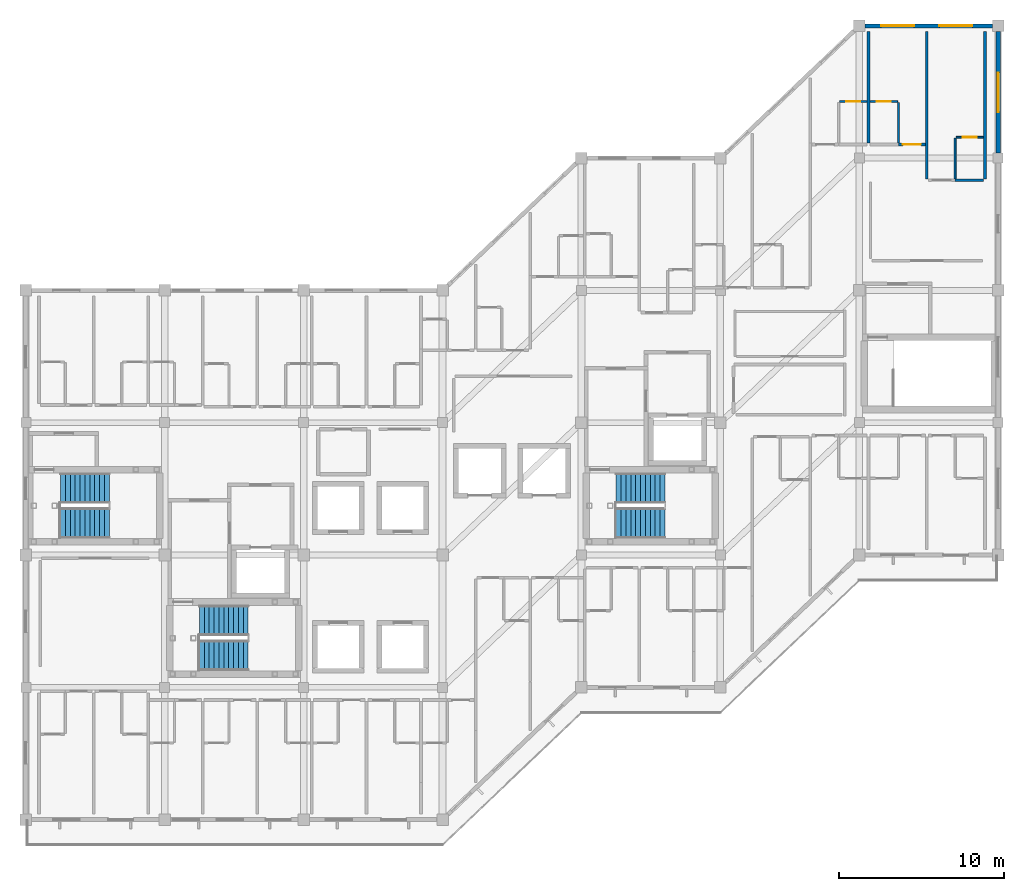
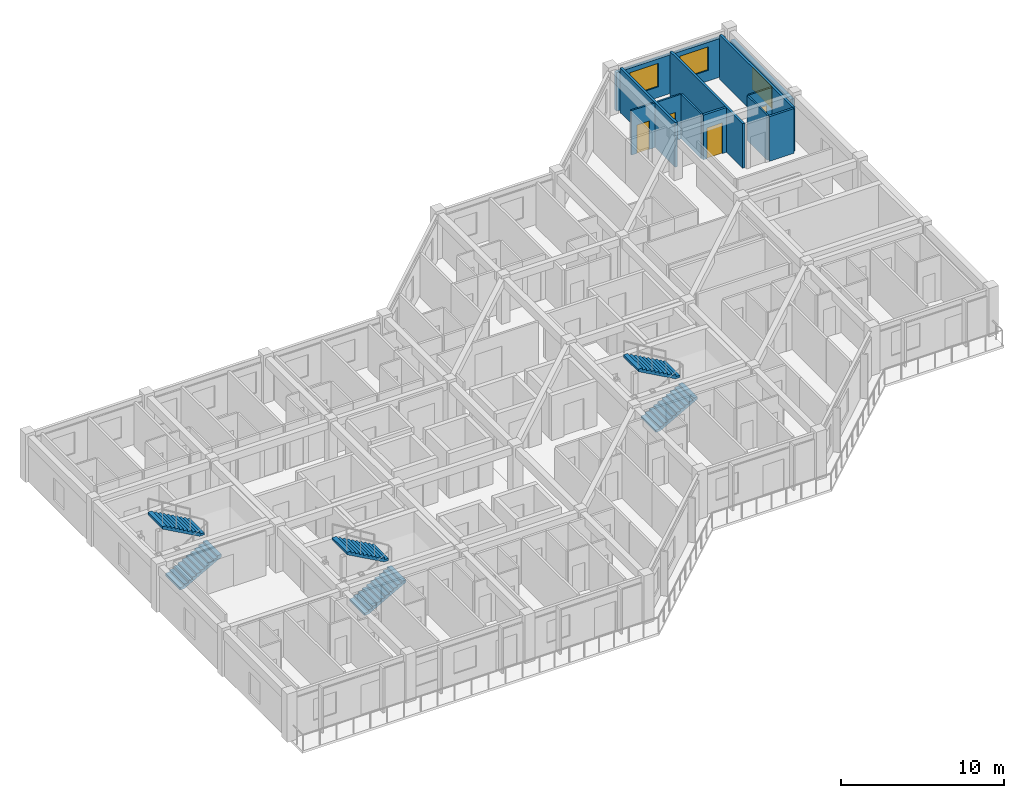
# One storey, part 13 of 15: 12 walls, 6 stair flights, 4 doors, 3 windows, 7 openings, 3 elements without a shape of their own.
"""IFC4 building model written with IfcOpenShell, lengths in metres."""

from ifc_helpers import new_model, si_unit, direction, frame, frame_2d, origin, place, context, subcontext, project, spatial, polyline, rectangle, outline, extrude, material, layer, layer_set, type_object, element, fill, aggregate, save


model = new_model("IFC4")

# Units and contexts
model_context = context("Model", 3, precision=1e-05, world=origin(), true_north=direction((0.0, 1.0)))
body_context = subcontext(model_context, "Body", "Model", "MODEL_VIEW")
ifc_project = project(units=[si_unit("LENGTHUNIT", "METRE"), si_unit("AREAUNIT", "SQUARE_METRE"), si_unit("VOLUMEUNIT", "CUBIC_METRE"), si_unit("PLANEANGLEUNIT", "RADIAN"), si_unit("MASSUNIT", "GRAM", prefix="KILO")], contexts=[model_context])

# Site, building, storey
site_placement = place(None, origin())
site = spatial("IfcSite", under=ifc_project, at=site_placement, CompositionType="ELEMENT")
building_placement = place(site_placement, origin())
building = spatial("IfcBuilding", under=site, at=building_placement, Name="Naruveol Harbour Congress Hotel", CompositionType="ELEMENT")
storey_placement = place(building_placement, frame((0.0, 0.0, 32.39990234375)))
storey = spatial("IfcBuildingStorey", under=building, at=storey_placement, Name="L07", CompositionType="ELEMENT", Elevation=32.39990234375)

# Wall, opening, window
ifc_material_1 = material(Name="Precast concrete C40/50", Category="concrete")
ifc_layer_1 = layer(ifc_material_1, 0.280029296875)
ifc_layer_set_1 = layer_set([ifc_layer_1], Name="Precast concrete C40/50")
wall_type_1 = type_object("IfcWallType", Name="ARCHITECTURAL PRECAST FACADE WALL 280", PredefinedType="SOLIDWALL", material=ifc_layer_set_1)
wall_1_placement = place(storey_placement, frame((176.39990234375, 47.64990234375, 0.0), z_axis=(0.0, 0.0, 1.0), x_axis=(0.0, -1.0, 0.0)))
wall_1 = element("IfcWall", 1, at=wall_1_placement, inside=storey, type_object=wall_type_1, Name="Hotel east gable wall L07 EW-280", PredefinedType="SOLIDWALL", context=body_context, shape_type="SweptSolid", body=[
    extrude(rectangle(XDim=7.349853515625, YDim=0.280029296875, at=frame_2d((3.6748046875, 0.0))), origin(), (0.0, 0.0, 1.0), 2.7001953125),
])
opening_1_placement = place(wall_1_placement, frame((2.47509765625, 0.0, 0.5)))
opening_1 = element("IfcOpeningElement", 2, at=opening_1_placement, cuts=wall_1, Name="Opening W-07", PredefinedType="OPENING", context=body_context, shape_type="SweptSolid", body=[
    extrude(rectangle(XDim=2.39990234375, YDim=1.64990234375, at=frame_2d((1.199951171875, 0.824951171875))), frame((0.0, 0.14990234375, 0.0), z_axis=(0.0, -1.0, 0.0), x_axis=(1.0, 0.0, 0.0)), (0.0, 0.0, 1.0), 0.300048828125),
])
ifc_material_2 = material(Name="Low-E Triple Glazing in Thermal Aluminium", Category="aluminium")
window_type_1 = type_object("IfcWindowType", Name="CORNER SUITE WINDOW 2400X1650", PartitioningType="DOUBLE_PANEL_VERTICAL", PredefinedType="WINDOW", material=ifc_material_2)
window_1_placement = place(opening_1_placement, origin())
window_1 = element("IfcWindow", 3, at=window_1_placement, inside=storey, type_object=window_type_1, Name="Window W-07 #407", OverallHeight=1.64990234375, OverallWidth=2.39990234375, PartitioningType="DOUBLE_PANEL_VERTICAL", PredefinedType="WINDOW", context=body_context, shape_type="SweptSolid", body=[
    extrude(rectangle(XDim=2.39990234375, YDim=1.64990234375, at=frame_2d((1.199951171875, 0.824951171875))), frame((0.0, 0.030029296875, 0.0), z_axis=(0.0, -1.0, 0.0), x_axis=(1.0, 0.0, 0.0)), (0.0, 0.0, 1.0), 0.06005859375),
])
fill(opening_1, window_1)

# Wall, opening, door
ifc_material_3 = material(Name="Moisture-Resistant Gypsum Partition", Category="gypsum")
ifc_layer_2 = layer(ifc_material_3, 0.114990234375)
ifc_layer_set_2 = layer_set([ifc_layer_2], Name="Moisture-Resistant Gypsum Partition")
wall_type_2 = type_object("IfcWallType", Name="BATHROOM MOISTURE PARTITION WALL 115", PredefinedType="PARTITIONING", material=ifc_layer_set_2)
wall_2_placement = place(storey_placement, frame((166.81005859375, 43.419921875, 0.0), z_axis=(0.0, 0.0, 1.0), x_axis=(1.0, 0.0, 0.0)))
wall_2 = element("IfcWall", 4, at=wall_2_placement, inside=storey, type_object=wall_type_2, Name="Bathroom north wall 0818 PW-115", PredefinedType="PARTITIONING", context=body_context, shape_type="SweptSolid", body=[
    extrude(rectangle(XDim=1.64990234375, YDim=0.114990234375, at=frame_2d((0.824951171875, 0.0))), origin(), (0.0, 0.0, 1.0), 3.335205078125),
])
opening_2_placement = place(wall_2_placement, frame((0.39501953125, 0.0, 0.0)))
opening_2 = element("IfcOpeningElement", 5, at=opening_2_placement, cuts=wall_2, Name="Opening BD-RM0818", PredefinedType="OPENING", context=body_context, shape_type="SweptSolid", body=[
    extrude(rectangle(XDim=0.860107421875, YDim=2.1201171875, at=frame_2d((0.43017578125, 1.06005859375))), frame((0.0, 0.0673828125, 0.0), z_axis=(0.0, -1.0, 0.0), x_axis=(1.0, 0.0, 0.0)), (0.0, 0.0, 1.0), 0.135009765625),
])
ifc_material_4 = material(Name="Timber & Steel Acoustic Leaf", Category="steel")
door_type_1 = type_object("IfcDoorType", Name="GUEST BATHROOM DOOR 860X2120", OperationType="NOTDEFINED", PredefinedType="DOOR", material=ifc_material_4)
door_1_placement = place(opening_2_placement, origin())
door_1 = element("IfcDoor", 6, at=door_1_placement, inside=storey, type_object=door_type_1, Name="Bathroom Door 0818", OperationType="SINGLE_SWING_RIGHT", OverallHeight=2.1201171875, OverallWidth=0.860107421875, PredefinedType="DOOR", context=body_context, shape_type="SweptSolid", body=[
    extrude(rectangle(XDim=0.860107421875, YDim=2.1201171875, at=frame_2d((0.43017578125, 1.06005859375))), frame((0.0, 0.02490234375, 0.0), z_axis=(0.0, -1.0, 0.0), x_axis=(1.0, 0.0, 0.0)), (0.0, 0.0, 1.0), 0.050048828125),
])
fill(opening_2, door_1)

# Wall
wall_3_placement = place(storey_placement, frame((170.3701171875, 40.909912109375, 0.0), z_axis=(0.0, 0.0, 1.0), x_axis=(0.0, 1.0, 0.0)))
element("IfcWall", 7, at=wall_3_placement, inside=storey, type_object=wall_type_2, Name="Bathroom east wall 0819 PW-115", PredefinedType="PARTITIONING", context=body_context, shape_type="SweptSolid", body=[
    extrude(rectangle(XDim=2.4501953125, YDim=0.114990234375, at=frame_2d((1.22509765625, 0.0))), origin(), (0.0, 0.0, 1.0), 3.335205078125),
])

# Wall, opening, door
wall_4_placement = place(storey_placement, frame((168.659912109375, 43.419921875, 0.0), z_axis=(0.0, 0.0, 1.0), x_axis=(1.0, 0.0, 0.0)))
wall_4 = element("IfcWall", 8, at=wall_4_placement, inside=storey, type_object=wall_type_2, Name="Bathroom north wall 0819 PW-115", PredefinedType="PARTITIONING", context=body_context, shape_type="SweptSolid", body=[
    extrude(rectangle(XDim=1.650146484375, YDim=0.114990234375, at=frame_2d((0.8251953125, 0.0))), origin(), (0.0, 0.0, 1.0), 3.335205078125),
])
opening_3_placement = place(wall_4_placement, frame((0.39501953125, 0.0, 0.0)))
opening_3 = element("IfcOpeningElement", 9, at=opening_3_placement, cuts=wall_4, Name="Opening BD-RM0819", PredefinedType="OPENING", context=body_context, shape_type="SweptSolid", body=[
    extrude(rectangle(XDim=0.860107421875, YDim=2.1201171875, at=frame_2d((0.43017578125, 1.06005859375))), frame((0.0, 0.0673828125, 0.0), z_axis=(0.0, -1.0, 0.0), x_axis=(1.0, 0.0, 0.0)), (0.0, 0.0, 1.0), 0.135009765625),
])
door_2_placement = place(opening_3_placement, origin())
door_2 = element("IfcDoor", 10, at=door_2_placement, inside=storey, type_object=door_type_1, Name="Bathroom Door 0819", OperationType="SINGLE_SWING_RIGHT", OverallHeight=2.1201171875, OverallWidth=0.860107421875, PredefinedType="DOOR", context=body_context, shape_type="SweptSolid", body=[
    extrude(rectangle(XDim=0.860107421875, YDim=2.1201171875, at=frame_2d((0.43017578125, 1.06005859375))), frame((0.0, 0.02490234375, 0.0), z_axis=(0.0, -1.0, 0.0), x_axis=(1.0, 0.0, 0.0)), (0.0, 0.0, 1.0), 0.050048828125),
])
fill(opening_3, door_2)

# Wall
wall_5_placement = place(storey_placement, frame((173.7900390625, 38.75, 0.0), z_axis=(0.0, 0.0, 1.0), x_axis=(0.0, 1.0, 0.0)))
element("IfcWall", 11, at=wall_5_placement, inside=storey, type_object=wall_type_2, Name="Bathroom west wall 0820 PW-115", PredefinedType="PARTITIONING", context=body_context, shape_type="SweptSolid", body=[
    extrude(rectangle(XDim=2.449951171875, YDim=0.114990234375, at=frame_2d((1.22509765625, 0.0))), origin(), (0.0, 0.0, 1.0), 3.335205078125),
])

# Wall, opening, door
wall_6_placement = place(storey_placement, frame((173.85009765625, 41.260009765625, 0.0), z_axis=(0.0, 0.0, 1.0), x_axis=(1.0, 0.0, 0.0)))
wall_6 = element("IfcWall", 12, at=wall_6_placement, inside=storey, type_object=wall_type_2, Name="Bathroom north wall 0820 PW-115", PredefinedType="PARTITIONING", context=body_context, shape_type="SweptSolid", body=[
    extrude(rectangle(XDim=1.64990234375, YDim=0.114990234375, at=frame_2d((0.824951171875, 0.0))), origin(), (0.0, 0.0, 1.0), 3.335205078125),
])
opening_4_placement = place(wall_6_placement, frame((0.39501953125, 0.0, 0.0)))
opening_4 = element("IfcOpeningElement", 13, at=opening_4_placement, cuts=wall_6, Name="Opening BD-RM0820", PredefinedType="OPENING", context=body_context, shape_type="SweptSolid", body=[
    extrude(rectangle(XDim=0.860107421875, YDim=2.1201171875, at=frame_2d((0.43017578125, 1.06005859375))), frame((0.0, 0.0673828125, 0.0), z_axis=(0.0, -1.0, 0.0), x_axis=(1.0, 0.0, 0.0)), (0.0, 0.0, 1.0), 0.135009765625),
])
door_3_placement = place(opening_4_placement, origin())
door_3 = element("IfcDoor", 14, at=door_3_placement, inside=storey, type_object=door_type_1, Name="Bathroom Door 0820", OperationType="SINGLE_SWING_RIGHT", OverallHeight=2.1201171875, OverallWidth=0.860107421875, PredefinedType="DOOR", context=body_context, shape_type="SweptSolid", body=[
    extrude(rectangle(XDim=0.860107421875, YDim=2.1201171875, at=frame_2d((0.43017578125, 1.06005859375))), frame((0.0, 0.02490234375, 0.0), z_axis=(0.0, -1.0, 0.0), x_axis=(1.0, 0.0, 0.0)), (0.0, 0.0, 1.0), 0.050048828125),
])
fill(opening_4, door_3)

ifc_material_5 = material(Name="Autoclaved Aerated Concrete Block", Category="concrete")
ifc_layer_3 = layer(ifc_material_5, 0.159912109375)
ifc_layer_set_3 = layer_set([ifc_layer_3], Name="Autoclaved Aerated Concrete Block")
wall_type_3 = type_object("IfcWallType", Name="HOTEL PARTY AND CORRIDOR WALL 160 EI60", PredefinedType="PARTITIONING", material=ifc_layer_set_3)
wall_7_placement = place(storey_placement, frame((170.3701171875, 40.820068359375, 0.0), z_axis=(0.0, 0.0, 1.0), x_axis=(1.0, 0.0, 0.0)))
wall_7 = element("IfcWall", 15, at=wall_7_placement, inside=storey, type_object=wall_type_3, Name="Corridor entry wall 0819 PW-160", PredefinedType="PARTITIONING", context=body_context, shape_type="SweptSolid", body=[
    extrude(rectangle(XDim=1.619873046875, YDim=0.159912109375, at=frame_2d((0.81005859375, 0.0))), origin(), (0.0, 0.0, 1.0), 3.335205078125),
])
opening_5_placement = place(wall_7_placement, frame((0.27001953125, 0.0, 0.0)))
opening_5 = element("IfcOpeningElement", 16, at=opening_5_placement, cuts=wall_7, Name="Opening FD-RM0819", PredefinedType="OPENING", context=body_context, shape_type="SweptSolid", body=[
    extrude(rectangle(XDim=1.080078125, YDim=2.300048828125, at=frame_2d((0.5400390625, 1.14990234375))), frame((0.0, 0.08984375, 0.0), z_axis=(0.0, -1.0, 0.0), x_axis=(1.0, 0.0, 0.0)), (0.0, 0.0, 1.0), 0.179931640625),
])
ifc_material_6 = material(Name="Timber & Steel Acoustic Leaf", Category="steel")
door_type_2 = type_object("IfcDoorType", Name="SUITE ENTRANCE FIRE DOOR 1080X2300", OperationType="NOTDEFINED", PredefinedType="DOOR", material=ifc_material_6)
door_4_placement = place(opening_5_placement, origin())
door_4 = element("IfcDoor", 17, at=door_4_placement, inside=storey, type_object=door_type_2, Name="Hotel Room Door 0819", OperationType="SINGLE_SWING_LEFT", OverallHeight=2.300048828125, OverallWidth=1.080078125, PredefinedType="DOOR", context=body_context, shape_type="SweptSolid", body=[
    extrude(rectangle(XDim=1.080078125, YDim=2.300048828125, at=frame_2d((0.5400390625, 1.14990234375))), frame((0.0, 0.02490234375, 0.0), z_axis=(0.0, -1.0, 0.0), x_axis=(1.0, 0.0, 0.0)), (0.0, 0.0, 1.0), 0.050048828125),
])
fill(opening_5, door_4)

# Walls
wall_8_placement = place(storey_placement, frame((168.56005859375, 40.909912109375, 0.0), z_axis=(0.0, 0.0, 1.0), x_axis=(0.0, 1.0, 0.0)))
element("IfcWall", 18, at=wall_8_placement, inside=storey, type_object=wall_type_3, Name="Hotel party wall 0819 PW-160", PredefinedType="PARTITIONING", context=body_context, shape_type="SweptSolid", body=[
    extrude(rectangle(XDim=6.75, YDim=0.159912109375, at=frame_2d((3.375, 0.0))), origin(), (0.0, 0.0, 1.0), 3.335205078125),
])
wall_9_placement = place(storey_placement, frame((173.800048828125, 38.659912109375, 0.0), z_axis=(0.0, 0.0, 1.0), x_axis=(1.0, 0.0, 0.0)))
element("IfcWall", 19, at=wall_9_placement, inside=storey, type_object=wall_type_3, Name="Corridor wall 0820B PW-160", PredefinedType="PARTITIONING", context=body_context, shape_type="SweptSolid", body=[
    extrude(rectangle(XDim=1.7099609375, YDim=0.159912109375, at=frame_2d((0.85498046875, 0.0))), origin(), (0.0, 0.0, 1.0), 3.335205078125),
])
for number, where, z_axis, x_axis, name in (
    (20, (172.080078125, 38.75, 0.0), (0.0, 0.0, 1.0), (0.0, 1.0, 0.0), "Hotel party wall 0820 PW-160"),
    (21, (175.60009765625, 38.75, 0.0), (0.0, 0.0, 1.0), (0.0, 1.0, 0.0), "Hotel end party wall 0820 PW-160"),
):
    element("IfcWall", number, at=place(storey_placement, frame(where, z_axis=z_axis, x_axis=x_axis)), inside=storey, type_object=wall_type_3, Name=name, PredefinedType="PARTITIONING", context=body_context, shape_type="SweptSolid", body=[
        extrude(rectangle(XDim=8.909912109375, YDim=0.159912109375, at=frame_2d((4.455078125, 0.0))), origin(), (0.0, 0.0, 1.0), 3.335205078125),
    ])

# Wall, openings, windows
ifc_material_7 = material(Name="Concrete C40/50", Category="concrete")
ifc_layer_4 = layer(ifc_material_7, 0.239990234375)
ifc_layer_set_4 = layer_set([ifc_layer_4], Name="Concrete C40/50")
wall_type_4 = type_object("IfcWallType", Name="INSULATED HOTEL SPANDREL WALL 240", PredefinedType="SOLIDWALL", material=ifc_layer_set_4)
wall_10_placement = place(storey_placement, frame((168.35009765625, 48.0, 0.0), z_axis=(0.0, 0.0, 1.0), x_axis=(1.0, 0.0, 0.0)))
wall_10 = element("IfcWall", 22, at=wall_10_placement, inside=storey, type_object=wall_type_4, Name="Hotel north bay wall L07 EW-240", PredefinedType="SOLIDWALL", context=body_context, shape_type="SweptSolid", body=[
    extrude(rectangle(XDim=7.699951171875, YDim=0.239990234375, at=frame_2d((3.85009765625, 0.0))), origin(), (0.0, 0.0, 1.0), 2.89013671875),
])
opening_6_placement = place(wall_10_placement, frame((0.969970703125, 0.0, 0.800048828125)))
opening_6 = element("IfcOpeningElement", 23, at=opening_6_placement, cuts=wall_10, Name="Opening W-05", PredefinedType="OPENING", context=body_context, shape_type="SweptSolid", body=[
    extrude(rectangle(XDim=2.0, YDim=1.75, at=frame_2d((1.0, 0.875))), frame((0.0, 0.1298828125, 0.0), z_axis=(0.0, -1.0, 0.0), x_axis=(1.0, 0.0, 0.0)), (0.0, 0.0, 1.0), 0.260009765625),
])
opening_7_placement = place(wall_10_placement, frame((4.489990234375, 0.0, 0.800048828125)))
opening_7 = element("IfcOpeningElement", 24, at=opening_7_placement, cuts=wall_10, Name="Opening W-05", PredefinedType="OPENING", context=body_context, shape_type="SweptSolid", body=[
    extrude(rectangle(XDim=2.0, YDim=1.75, at=frame_2d((1.0, 0.875))), frame((0.0, 0.1298828125, 0.0), z_axis=(0.0, -1.0, 0.0), x_axis=(1.0, 0.0, 0.0)), (0.0, 0.0, 1.0), 0.260009765625),
])
ifc_material_8 = material(Name="Low-E Triple Glazing in Thermal Aluminium", Category="aluminium")
window_type_2 = type_object("IfcWindowType", Name="GARDEN SUITE WINDOW 2000X1750", PartitioningType="DOUBLE_PANEL_VERTICAL", PredefinedType="WINDOW", material=ifc_material_8)
window_2_placement = place(opening_6_placement, origin())
window_2 = element("IfcWindow", 25, at=window_2_placement, inside=storey, type_object=window_type_2, Name="Window W-05 #405", OverallHeight=1.75, OverallWidth=2.0, PartitioningType="DOUBLE_PANEL_VERTICAL", PredefinedType="WINDOW", context=body_context, shape_type="SweptSolid", body=[
    extrude(rectangle(XDim=2.0, YDim=1.75, at=frame_2d((1.0, 0.875))), frame((0.0, 0.030029296875, 0.0), z_axis=(0.0, -1.0, 0.0), x_axis=(1.0, 0.0, 0.0)), (0.0, 0.0, 1.0), 0.06005859375),
])
fill(opening_6, window_2)
window_3_placement = place(opening_7_placement, origin())
window_3 = element("IfcWindow", 26, at=window_3_placement, inside=storey, type_object=window_type_2, Name="Window W-05 #406", OverallHeight=1.75, OverallWidth=2.0, PartitioningType="DOUBLE_PANEL_VERTICAL", PredefinedType="WINDOW", context=body_context, shape_type="SweptSolid", body=[
    extrude(rectangle(XDim=2.0, YDim=1.75, at=frame_2d((1.0, 0.875))), frame((0.0, 0.030029296875, 0.0), z_axis=(0.0, -1.0, 0.0), x_axis=(1.0, 0.0, 0.0)), (0.0, 0.0, 1.0), 0.06005859375),
])
fill(opening_7, window_3)

# Stair, stair flights
ifc_material_9 = material(Name="Concrete C40/50", Category="concrete")
stair_type = type_object("IfcStairType", Name="RC DOG LEG ESCAPE STAIR 1800W H3600", PredefinedType="HALF_TURN_STAIR", material=ifc_material_9)
stair_1_placement = place(storey_placement, origin())
stair_1 = element("IfcStair", 27, at=stair_1_placement, inside=storey, type_object=stair_type, Name="Special Escape Stair ST1 L07 to L08", PredefinedType="HALF_TURN_STAIR")
ifc_material_10 = material(Name="Concrete C40/50", Category="concrete")
stair_flight_type = type_object("IfcStairFlightType", Name="RC STRAIGHT STAIR FLIGHT 1800W R11", PredefinedType="STRAIGHT", material=ifc_material_10)
stair_flight_1_placement = place(storey_placement, frame((128.10009765625, 9.919921875, 0.0), z_axis=(0.0, 0.0, 1.0), x_axis=(1.0, 0.0, 0.0)))
stair_flight_1 = element("IfcStairFlight", 28, at=stair_flight_1_placement, type_object=stair_flight_type, Name="ST1 L07 lower flight", NumberOfRisers=11, NumberOfTreads=10, PredefinedType="STRAIGHT", RiserHeight=0.163636, TreadLength=0.295, context=body_context, shape_type="SweptSolid", body=[
    extrude(outline(polyline([(0.0, 0.0), (0.0, 0.16357421875), (0.294921875, 0.16357421875), (0.294921875, 0.327392578125), (0.590087890625, 0.327392578125), (0.590087890625, 0.490966796875), (0.885009765625, 0.490966796875), (0.885009765625, 0.654541015625), (1.179931640625, 0.654541015625), (1.179931640625, 0.818115234375), (1.47509765625, 0.818115234375), (1.47509765625, 0.98193359375), (1.77001953125, 0.98193359375), (1.77001953125, 1.1455078125), (2.06494140625, 1.1455078125), (2.06494140625, 1.30908203125), (2.360107421875, 1.30908203125), (2.360107421875, 1.47265625), (2.655029296875, 1.47265625), (2.655029296875, 1.636474609375), (2.949951171875, 1.636474609375), (2.949951171875, 1.800048828125), (2.949951171875, 1.45361328125), (0.32958984375, 0.0), (0.0, 0.0)])), frame((0.0, 0.89990234375, 0.0), z_axis=(0.0, -1.0, 0.0), x_axis=(1.0, 0.0, 0.0)), (0.0, 0.0, 1.0), 1.800048828125),
])
stair_flight_2_placement = place(storey_placement, frame((131.050048828125, 12.0400390625, 1.800048828125), z_axis=(0.0, 0.0, 1.0), x_axis=(-1.0, 0.0, 0.0)))
stair_flight_2 = element("IfcStairFlight", 29, at=stair_flight_2_placement, type_object=stair_flight_type, Name="ST1 L07 upper flight", NumberOfRisers=11, NumberOfTreads=10, PredefinedType="STRAIGHT", RiserHeight=0.163636, TreadLength=0.295, context=body_context, shape_type="SweptSolid", body=[
    extrude(outline(polyline([(0.0, 0.0), (0.0, 0.16357421875), (0.294921875, 0.16357421875), (0.294921875, 0.327392578125), (0.590087890625, 0.327392578125), (0.590087890625, 0.490966796875), (0.885009765625, 0.490966796875), (0.885009765625, 0.654541015625), (1.179931640625, 0.654541015625), (1.179931640625, 0.818115234375), (1.47509765625, 0.818115234375), (1.47509765625, 0.98193359375), (1.77001953125, 0.98193359375), (1.77001953125, 1.1455078125), (2.06494140625, 1.1455078125), (2.06494140625, 1.30908203125), (2.360107421875, 1.30908203125), (2.360107421875, 1.47265625), (2.655029296875, 1.47265625), (2.655029296875, 1.636474609375), (2.949951171875, 1.636474609375), (2.949951171875, 1.800048828125), (2.949951171875, 1.45361328125), (0.32958984375, 0.0), (0.0, 0.0)])), frame((0.0, 0.89990234375, 0.0), z_axis=(0.0, -1.0, 0.0), x_axis=(1.0, 0.0, 0.0)), (0.0, 0.0, 1.0), 1.800048828125),
])
aggregate(stair_1, [stair_flight_1, stair_flight_2])

stair_2_placement = place(storey_placement, origin())
stair_2 = element("IfcStair", 30, at=stair_2_placement, inside=storey, type_object=stair_type, Name="Special Escape Stair ST2 L07 to L08", PredefinedType="HALF_TURN_STAIR")
stair_flight_3_placement = place(storey_placement, frame((153.300048828125, 17.919921875, 0.0), z_axis=(0.0, 0.0, 1.0), x_axis=(1.0, 0.0, 0.0)))
stair_flight_3 = element("IfcStairFlight", 31, at=stair_flight_3_placement, type_object=stair_flight_type, Name="ST2 L07 lower flight", NumberOfRisers=11, NumberOfTreads=10, PredefinedType="STRAIGHT", RiserHeight=0.163636, TreadLength=0.295, context=body_context, shape_type="SweptSolid", body=[
    extrude(outline(polyline([(0.0, 0.0), (0.0, 0.16357421875), (0.294921875, 0.16357421875), (0.294921875, 0.327392578125), (0.590087890625, 0.327392578125), (0.590087890625, 0.490966796875), (0.885009765625, 0.490966796875), (0.885009765625, 0.654541015625), (1.179931640625, 0.654541015625), (1.179931640625, 0.818115234375), (1.47509765625, 0.818115234375), (1.47509765625, 0.98193359375), (1.77001953125, 0.98193359375), (1.77001953125, 1.1455078125), (2.06494140625, 1.1455078125), (2.06494140625, 1.30908203125), (2.360107421875, 1.30908203125), (2.360107421875, 1.47265625), (2.655029296875, 1.47265625), (2.655029296875, 1.636474609375), (2.949951171875, 1.636474609375), (2.949951171875, 1.800048828125), (2.949951171875, 1.45361328125), (0.32958984375, 0.0), (0.0, 0.0)])), frame((0.0, 0.89990234375, 0.0), z_axis=(0.0, -1.0, 0.0), x_axis=(1.0, 0.0, 0.0)), (0.0, 0.0, 1.0), 1.800048828125),
])
stair_flight_4_placement = place(storey_placement, frame((156.25, 20.0400390625, 1.800048828125), z_axis=(0.0, 0.0, 1.0), x_axis=(-1.0, 0.0, 0.0)))
stair_flight_4 = element("IfcStairFlight", 32, at=stair_flight_4_placement, type_object=stair_flight_type, Name="ST2 L07 upper flight", NumberOfRisers=11, NumberOfTreads=10, PredefinedType="STRAIGHT", RiserHeight=0.163636, TreadLength=0.295, context=body_context, shape_type="SweptSolid", body=[
    extrude(outline(polyline([(0.0, 0.0), (0.0, 0.16357421875), (0.294921875, 0.16357421875), (0.294921875, 0.327392578125), (0.590087890625, 0.327392578125), (0.590087890625, 0.490966796875), (0.885009765625, 0.490966796875), (0.885009765625, 0.654541015625), (1.179931640625, 0.654541015625), (1.179931640625, 0.818115234375), (1.47509765625, 0.818115234375), (1.47509765625, 0.98193359375), (1.77001953125, 0.98193359375), (1.77001953125, 1.1455078125), (2.06494140625, 1.1455078125), (2.06494140625, 1.30908203125), (2.360107421875, 1.30908203125), (2.360107421875, 1.47265625), (2.655029296875, 1.47265625), (2.655029296875, 1.636474609375), (2.949951171875, 1.636474609375), (2.949951171875, 1.800048828125), (2.949951171875, 1.45361328125), (0.32958984375, 0.0), (0.0, 0.0)])), frame((0.0, 0.89990234375, 0.0), z_axis=(0.0, -1.0, 0.0), x_axis=(1.0, 0.0, 0.0)), (0.0, 0.0, 1.0), 1.800048828125),
])
aggregate(stair_2, [stair_flight_3, stair_flight_4])

stair_3_placement = place(storey_placement, origin())
stair_3 = element("IfcStair", 33, at=stair_3_placement, inside=storey, type_object=stair_type, Name="Special Escape Stair ST3 L07 to L08", PredefinedType="HALF_TURN_STAIR")
stair_flight_5_placement = place(storey_placement, frame((119.699951171875, 17.919921875, 0.0), z_axis=(0.0, 0.0, 1.0), x_axis=(1.0, 0.0, 0.0)))
stair_flight_5 = element("IfcStairFlight", 34, at=stair_flight_5_placement, type_object=stair_flight_type, Name="ST3 L07 lower flight", NumberOfRisers=11, NumberOfTreads=10, PredefinedType="STRAIGHT", RiserHeight=0.163636, TreadLength=0.295, context=body_context, shape_type="SweptSolid", body=[
    extrude(outline(polyline([(0.0, 0.0), (0.0, 0.16357421875), (0.294921875, 0.16357421875), (0.294921875, 0.327392578125), (0.590087890625, 0.327392578125), (0.590087890625, 0.490966796875), (0.885009765625, 0.490966796875), (0.885009765625, 0.654541015625), (1.179931640625, 0.654541015625), (1.179931640625, 0.818115234375), (1.47509765625, 0.818115234375), (1.47509765625, 0.98193359375), (1.77001953125, 0.98193359375), (1.77001953125, 1.1455078125), (2.06494140625, 1.1455078125), (2.06494140625, 1.30908203125), (2.360107421875, 1.30908203125), (2.360107421875, 1.47265625), (2.655029296875, 1.47265625), (2.655029296875, 1.636474609375), (2.949951171875, 1.636474609375), (2.949951171875, 1.800048828125), (2.949951171875, 1.45361328125), (0.32958984375, 0.0), (0.0, 0.0)])), frame((0.0, 0.89990234375, 0.0), z_axis=(0.0, -1.0, 0.0), x_axis=(1.0, 0.0, 0.0)), (0.0, 0.0, 1.0), 1.800048828125),
])
stair_flight_6_placement = place(storey_placement, frame((122.64990234375, 20.0400390625, 1.800048828125), z_axis=(0.0, 0.0, 1.0), x_axis=(-1.0, 0.0, 0.0)))
stair_flight_6 = element("IfcStairFlight", 35, at=stair_flight_6_placement, type_object=stair_flight_type, Name="ST3 L07 upper flight", NumberOfRisers=11, NumberOfTreads=10, PredefinedType="STRAIGHT", RiserHeight=0.163636, TreadLength=0.295, context=body_context, shape_type="SweptSolid", body=[
    extrude(outline(polyline([(0.0, 0.0), (0.0, 0.16357421875), (0.294921875, 0.16357421875), (0.294921875, 0.327392578125), (0.590087890625, 0.327392578125), (0.590087890625, 0.490966796875), (0.885009765625, 0.490966796875), (0.885009765625, 0.654541015625), (1.179931640625, 0.654541015625), (1.179931640625, 0.818115234375), (1.47509765625, 0.818115234375), (1.47509765625, 0.98193359375), (1.77001953125, 0.98193359375), (1.77001953125, 1.1455078125), (2.06494140625, 1.1455078125), (2.06494140625, 1.30908203125), (2.360107421875, 1.30908203125), (2.360107421875, 1.47265625), (2.655029296875, 1.47265625), (2.655029296875, 1.636474609375), (2.949951171875, 1.636474609375), (2.949951171875, 1.800048828125), (2.949951171875, 1.45361328125), (0.32958984375, 0.0), (0.0, 0.0)])), frame((0.0, 0.89990234375, 0.0), z_axis=(0.0, -1.0, 0.0), x_axis=(1.0, 0.0, 0.0)), (0.0, 0.0, 1.0), 1.800048828125),
])
aggregate(stair_3, [stair_flight_5, stair_flight_6])

save(model, "model.ifc")
